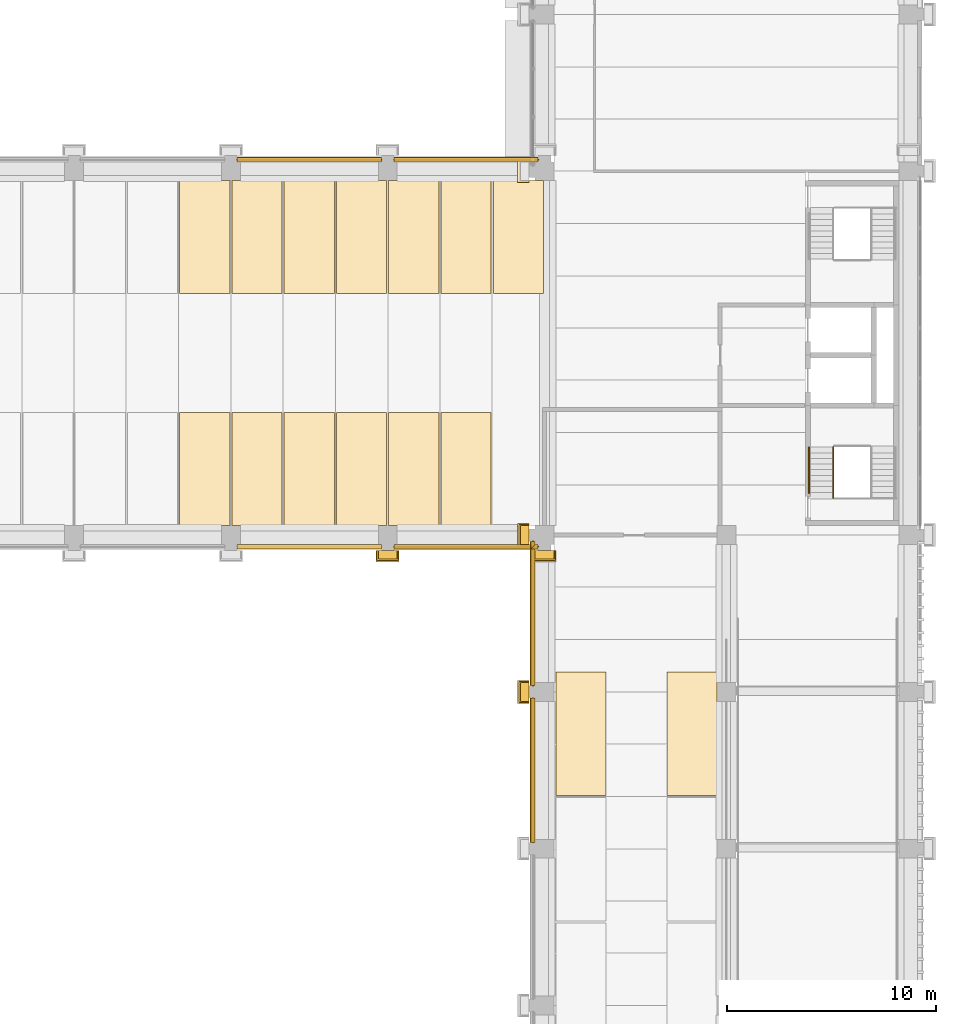
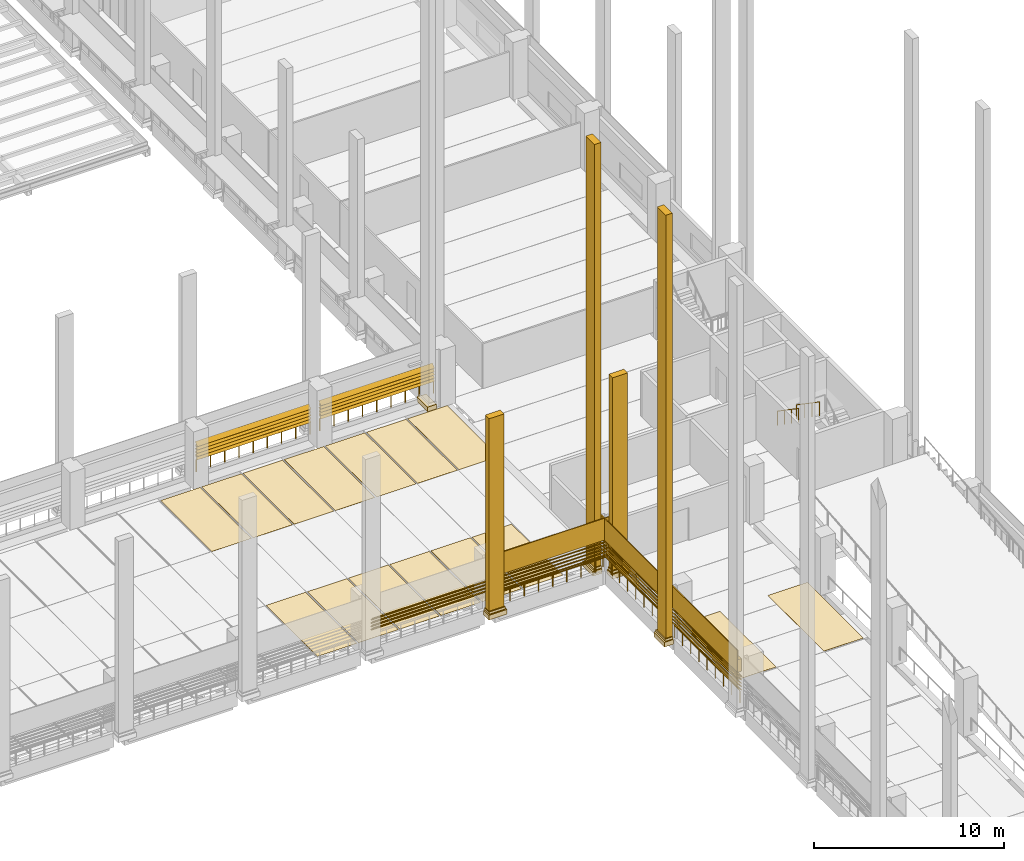
# One storey, part 59 of 67: 31 coverings, 29 shading devices, 7 railings.
"""IFC4 building model written with IfcOpenShell, lengths in metres."""

from ifc_helpers import new_model, si_unit, direction, frame, origin, origin_2d, place, context, subcontext, project, spatial, polyline, circle, outline, extrude, material, layer, layer_set, type_object, element, save


model = new_model("IFC4")

# Units and contexts
model_context = context("Model", 3, precision=1e-05, world=origin(), true_north=direction((0.0, 1.0)))
body_context = subcontext(model_context, "Body", "Model", "MODEL_VIEW")
ifc_project = project(units=[si_unit("LENGTHUNIT", "METRE"), si_unit("AREAUNIT", "SQUARE_METRE"), si_unit("VOLUMEUNIT", "CUBIC_METRE"), si_unit("PLANEANGLEUNIT", "RADIAN"), si_unit("MASSUNIT", "GRAM", prefix="KILO")], contexts=[model_context])

# Site, building, storey
site_placement = place(None, origin())
site = spatial("IfcSite", under=ifc_project, at=site_placement, CompositionType="ELEMENT")
building_placement = place(site_placement, origin())
building = spatial("IfcBuilding", under=site, at=building_placement, Name="Cour d'Honneur Mobility Palace", CompositionType="ELEMENT")
storey_placement = place(building_placement, frame((0.0, 0.0, 4.5)))
storey = spatial("IfcBuildingStorey", under=building, at=storey_placement, Name="L01", CompositionType="ELEMENT", Elevation=4.5)

# Railings
ifc_material_1 = material(Name="Painted steel", Category="steel")
railing_type_1 = type_object("IfcRailingType", Name="Balustrade", PredefinedType="BALUSTRADE", material=ifc_material_1)
railing_1_placement = place(storey_placement, frame((137.699951171875, 44.449951171875, 0.300048828125)))
element("IfcRailing", 1, at=railing_1_placement, inside=storey, type_object=railing_type_1, Name="Balustrade BAL-22", PredefinedType="BALUSTRADE", context=body_context, shape_type="SweptSolid", body=[
    extrude(circle(Radius=0.02392578125, at=origin_2d()), frame((0.0, 0.0, 0.77587890625), z_axis=(1.0, 0.0, 0.0), x_axis=(0.0, 1.0, 0.0)), (0.0, 0.0, 1.0), 6.900146484375),
    extrude(circle(Radius=0.02099609375, at=origin_2d()), origin(), (0.0, 0.0, 1.0), 0.751953125),
    extrude(circle(Radius=0.02099609375, at=origin_2d()), frame((0.862548828125, 0.0, 0.0)), (0.0, 0.0, 1.0), 0.751953125),
    extrude(circle(Radius=0.02099609375, at=origin_2d()), frame((1.72509765625, 0.0, 0.0)), (0.0, 0.0, 1.0), 0.751953125),
    extrude(circle(Radius=0.02099609375, at=origin_2d()), frame((2.587646484375, 0.0, 0.0)), (0.0, 0.0, 1.0), 0.751953125),
    extrude(circle(Radius=0.02099609375, at=origin_2d()), frame((3.4501953125, 0.0, 0.0)), (0.0, 0.0, 1.0), 0.751953125),
    extrude(circle(Radius=0.02099609375, at=origin_2d()), frame((4.3125, 0.0, 0.0)), (0.0, 0.0, 1.0), 0.751953125),
    extrude(circle(Radius=0.02099609375, at=origin_2d()), frame((5.175048828125, 0.0, 0.0)), (0.0, 0.0, 1.0), 0.751953125),
    extrude(circle(Radius=0.02099609375, at=origin_2d()), frame((6.03759765625, 0.0, 0.0)), (0.0, 0.0, 1.0), 0.751953125),
    extrude(circle(Radius=0.02099609375, at=origin_2d()), frame((6.900146484375, 0.0, 0.0)), (0.0, 0.0, 1.0), 0.751953125),
])
for number, where, name in (
    (2, (144.35009765625, 44.699951171875, 0.300048828125), "Balustrade BAL-23"),
    (3, (144.35009765625, 37.199951171875, 0.300048828125), "Balustrade BAL-24"),
):
    element("IfcRailing", number, at=place(storey_placement, frame(where)), inside=storey, type_object=railing_type_1, Name=name, PredefinedType="BALUSTRADE", context=body_context, shape_type="SweptSolid", body=[
        extrude(circle(Radius=0.02392578125, at=origin_2d()), frame((0.0, 0.0, 0.77587890625), z_axis=(0.0, -1.0, 0.0), x_axis=(1.0, 0.0, 0.0)), (0.0, 0.0, 1.0), 6.89990234375),
        extrude(circle(Radius=0.02099609375, at=origin_2d()), origin(), (0.0, 0.0, 1.0), 0.751953125),
        extrude(circle(Radius=0.02099609375, at=origin_2d()), frame((0.0, -0.862548828125, 0.0)), (0.0, 0.0, 1.0), 0.751953125),
        extrude(circle(Radius=0.02099609375, at=origin_2d()), frame((0.0, -1.72509765625, 0.0)), (0.0, 0.0, 1.0), 0.751953125),
        extrude(circle(Radius=0.02099609375, at=origin_2d()), frame((0.0, -2.58740234375, 0.0)), (0.0, 0.0, 1.0), 0.751953125),
        extrude(circle(Radius=0.02099609375, at=origin_2d()), frame((0.0, -3.449951171875, 0.0)), (0.0, 0.0, 1.0), 0.751953125),
        extrude(circle(Radius=0.02099609375, at=origin_2d()), frame((0.0, -4.3125, 0.0)), (0.0, 0.0, 1.0), 0.751953125),
        extrude(circle(Radius=0.02099609375, at=origin_2d()), frame((0.0, -5.1748046875, 0.0)), (0.0, 0.0, 1.0), 0.751953125),
        extrude(circle(Radius=0.02099609375, at=origin_2d()), frame((0.0, -6.037353515625, 0.0)), (0.0, 0.0, 1.0), 0.751953125),
        extrude(circle(Radius=0.02099609375, at=origin_2d()), frame((0.0, -6.89990234375, 0.0)), (0.0, 0.0, 1.0), 0.751953125),
    ])
for number, where, name in (
    (4, (144.60009765625, 62.949951171875, 0.300048828125), "Balustrade BAL-40"),
    (5, (137.10009765625, 62.949951171875, 0.300048828125), "Balustrade BAL-41"),
):
    element("IfcRailing", number, at=place(storey_placement, frame(where)), inside=storey, type_object=railing_type_1, Name=name, PredefinedType="BALUSTRADE", context=body_context, shape_type="SweptSolid", body=[
        extrude(circle(Radius=0.02392578125, at=origin_2d()), frame((0.0, 0.0, 0.77587890625), z_axis=(-1.0, 0.0, 0.0), x_axis=(0.0, -1.0, 0.0)), (0.0, 0.0, 1.0), 6.900146484375),
        extrude(circle(Radius=0.02099609375, at=origin_2d()), origin(), (0.0, 0.0, 1.0), 0.751953125),
        extrude(circle(Radius=0.02099609375, at=origin_2d()), frame((-0.862548828125, 0.0, 0.0)), (0.0, 0.0, 1.0), 0.751953125),
        extrude(circle(Radius=0.02099609375, at=origin_2d()), frame((-1.72509765625, 0.0, 0.0)), (0.0, 0.0, 1.0), 0.751953125),
        extrude(circle(Radius=0.02099609375, at=origin_2d()), frame((-2.587646484375, 0.0, 0.0)), (0.0, 0.0, 1.0), 0.751953125),
        extrude(circle(Radius=0.02099609375, at=origin_2d()), frame((-3.4501953125, 0.0, 0.0)), (0.0, 0.0, 1.0), 0.751953125),
        extrude(circle(Radius=0.02099609375, at=origin_2d()), frame((-4.3125, 0.0, 0.0)), (0.0, 0.0, 1.0), 0.751953125),
        extrude(circle(Radius=0.02099609375, at=origin_2d()), frame((-5.175048828125, 0.0, 0.0)), (0.0, 0.0, 1.0), 0.751953125),
        extrude(circle(Radius=0.02099609375, at=origin_2d()), frame((-6.03759765625, 0.0, 0.0)), (0.0, 0.0, 1.0), 0.751953125),
        extrude(circle(Radius=0.02099609375, at=origin_2d()), frame((-6.900146484375, 0.0, 0.0)), (0.0, 0.0, 1.0), 0.751953125),
    ])
ifc_material_2 = material(Name="Stainless steel", Category="steel")
railing_type_2 = type_object("IfcRailingType", Name="Handrail round 50", PredefinedType="HANDRAIL", material=ifc_material_2)
railing_2_placement = place(storey_placement, frame((158.699951171875, 49.205078125, 2.034912109375)))
element("IfcRailing", 6, at=railing_2_placement, inside=storey, type_object=railing_type_2, Name="Handrail ST-CE1", PredefinedType="HANDRAIL", context=body_context, shape_type="SweptSolid", body=[
    extrude(circle(Radius=0.02490234375, at=origin_2d()), frame((0.0, 0.0, 0.89501953125), z_axis=(0.0, -0.824945253146, 0.565212640793), x_axis=(1.0, 0.0, 0.0)), (0.0, 0.0, 1.0), 2.94580078125),
    extrude(circle(Radius=0.02099609375, at=origin_2d()), origin(), (0.0, 0.0, 1.0), 0.869873046875),
    extrude(circle(Radius=0.02099609375, at=origin_2d()), frame((0.0, -0.81005859375, 0.554931640625)), (0.0, 0.0, 1.0), 0.869873046875),
    extrude(circle(Radius=0.02099609375, at=origin_2d()), frame((0.0, -1.6201171875, 1.110107421875)), (0.0, 0.0, 1.0), 0.869873046875),
    extrude(circle(Radius=0.02099609375, at=origin_2d()), frame((0.0, -2.43017578125, 1.6650390625)), (0.0, 0.0, 1.0), 0.869873046875),
])
railing_3_placement = place(storey_placement, frame((157.550048828125, 49.205078125, 2.034912109375)))
element("IfcRailing", 7, at=railing_3_placement, inside=storey, type_object=railing_type_2, Name="Handrail ST-CE1", PredefinedType="HANDRAIL", context=body_context, shape_type="SweptSolid", body=[
    extrude(circle(Radius=0.02490234375, at=origin_2d()), frame((0.0, 0.0, 0.89501953125), z_axis=(0.0, -0.824915021957, 0.565256761613), x_axis=(1.0, 0.0, 0.0)), (0.0, 0.0, 1.0), 2.673095703125),
    extrude(circle(Radius=0.02099609375, at=origin_2d()), origin(), (0.0, 0.0, 1.0), 0.869873046875),
    extrude(circle(Radius=0.02099609375, at=origin_2d()), frame((0.0, -0.735107421875, 0.503662109375)), (0.0, 0.0, 1.0), 0.869873046875),
    extrude(circle(Radius=0.02099609375, at=origin_2d()), frame((0.0, -1.469970703125, 1.00732421875)), (0.0, 0.0, 1.0), 0.869873046875),
    extrude(circle(Radius=0.02099609375, at=origin_2d()), frame((0.0, -2.205078125, 1.510986328125)), (0.0, 0.0, 1.0), 0.869873046875),
])

# Coverings
ifc_material_3 = material(Name="Parking marking paint")
ifc_layer_1 = layer(ifc_material_3, 0.0048828125)
ifc_layer_set_1 = layer_set([ifc_layer_1], Name="Parking marking paint")
covering_type_1 = type_object("IfcCoveringType", Name="Parking bay marking", PredefinedType="FLOORING", material=ifc_layer_set_1)
covering_1_placement = place(storey_placement, origin())
element("IfcCovering", 8, at=covering_1_placement, inside=storey, type_object=covering_type_1, Name="Parking bay marking L01 25", PredefinedType="FLOORING", context=body_context, shape_type="SweptSolid", body=[
    extrude(outline(polyline([(129.85009765625, 56.550048828125), (127.449951171875, 56.550048828125), (127.449951171875, 61.949951171875), (129.85009765625, 61.949951171875), (129.85009765625, 56.550048828125)])), origin(), (0.0, 0.0, 1.0), 0.0048828125),
])
covering_2_placement = place(storey_placement, origin())
element("IfcCovering", 9, at=covering_2_placement, inside=storey, type_object=covering_type_1, Name="Parking bay marking L01 26", PredefinedType="FLOORING", context=body_context, shape_type="SweptSolid", body=[
    extrude(outline(polyline([(132.35009765625, 56.550048828125), (129.949951171875, 56.550048828125), (129.949951171875, 61.949951171875), (132.35009765625, 61.949951171875), (132.35009765625, 56.550048828125)])), origin(), (0.0, 0.0, 1.0), 0.0048828125),
])
covering_3_placement = place(storey_placement, origin())
element("IfcCovering", 10, at=covering_3_placement, inside=storey, type_object=covering_type_1, Name="Parking bay marking L01 27", PredefinedType="FLOORING", context=body_context, shape_type="SweptSolid", body=[
    extrude(outline(polyline([(134.85009765625, 56.550048828125), (132.449951171875, 56.550048828125), (132.449951171875, 61.949951171875), (134.85009765625, 61.949951171875), (134.85009765625, 56.550048828125)])), origin(), (0.0, 0.0, 1.0), 0.0048828125),
])
covering_4_placement = place(storey_placement, origin())
element("IfcCovering", 11, at=covering_4_placement, inside=storey, type_object=covering_type_1, Name="Parking bay marking L01 28", PredefinedType="FLOORING", context=body_context, shape_type="SweptSolid", body=[
    extrude(outline(polyline([(137.35009765625, 56.550048828125), (134.949951171875, 56.550048828125), (134.949951171875, 61.949951171875), (137.35009765625, 61.949951171875), (137.35009765625, 56.550048828125)])), origin(), (0.0, 0.0, 1.0), 0.0048828125),
])
covering_5_placement = place(storey_placement, origin())
element("IfcCovering", 12, at=covering_5_placement, inside=storey, type_object=covering_type_1, Name="Parking bay marking L01 29", PredefinedType="FLOORING", context=body_context, shape_type="SweptSolid", body=[
    extrude(outline(polyline([(139.85009765625, 56.550048828125), (137.449951171875, 56.550048828125), (137.449951171875, 61.949951171875), (139.85009765625, 61.949951171875), (139.85009765625, 56.550048828125)])), origin(), (0.0, 0.0, 1.0), 0.0048828125),
])
covering_6_placement = place(storey_placement, origin())
element("IfcCovering", 13, at=covering_6_placement, inside=storey, type_object=covering_type_1, Name="Parking bay marking L01 31", PredefinedType="FLOORING", context=body_context, shape_type="SweptSolid", body=[
    extrude(outline(polyline([(142.35009765625, 56.550048828125), (139.949951171875, 56.550048828125), (139.949951171875, 61.949951171875), (142.35009765625, 61.949951171875), (142.35009765625, 56.550048828125)])), origin(), (0.0, 0.0, 1.0), 0.0048828125),
])
covering_7_placement = place(storey_placement, origin())
element("IfcCovering", 14, at=covering_7_placement, inside=storey, type_object=covering_type_1, Name="Parking bay marking L01 32", PredefinedType="FLOORING", context=body_context, shape_type="SweptSolid", body=[
    extrude(outline(polyline([(144.85009765625, 56.550048828125), (142.449951171875, 56.550048828125), (142.449951171875, 61.949951171875), (144.85009765625, 61.949951171875), (144.85009765625, 56.550048828125)])), origin(), (0.0, 0.0, 1.0), 0.0048828125),
])
covering_8_placement = place(storey_placement, origin())
element("IfcCovering", 15, at=covering_8_placement, inside=storey, type_object=covering_type_1, Name="Parking bay marking L01 64", PredefinedType="FLOORING", context=body_context, shape_type="SweptSolid", body=[
    extrude(outline(polyline([(129.85009765625, 45.449951171875), (127.449951171875, 45.449951171875), (127.449951171875, 50.85009765625), (129.85009765625, 50.85009765625), (129.85009765625, 45.449951171875)])), origin(), (0.0, 0.0, 1.0), 0.0048828125),
])
covering_9_placement = place(storey_placement, origin())
element("IfcCovering", 16, at=covering_9_placement, inside=storey, type_object=covering_type_1, Name="Parking bay marking L01 65", PredefinedType="FLOORING", context=body_context, shape_type="SweptSolid", body=[
    extrude(outline(polyline([(132.35009765625, 45.449951171875), (129.949951171875, 45.449951171875), (129.949951171875, 50.85009765625), (132.35009765625, 50.85009765625), (132.35009765625, 45.449951171875)])), origin(), (0.0, 0.0, 1.0), 0.0048828125),
])
covering_10_placement = place(storey_placement, origin())
element("IfcCovering", 17, at=covering_10_placement, inside=storey, type_object=covering_type_1, Name="Parking bay marking L01 66", PredefinedType="FLOORING", context=body_context, shape_type="SweptSolid", body=[
    extrude(outline(polyline([(134.85009765625, 45.449951171875), (132.449951171875, 45.449951171875), (132.449951171875, 50.85009765625), (134.85009765625, 50.85009765625), (134.85009765625, 45.449951171875)])), origin(), (0.0, 0.0, 1.0), 0.0048828125),
])
covering_11_placement = place(storey_placement, origin())
element("IfcCovering", 18, at=covering_11_placement, inside=storey, type_object=covering_type_1, Name="Parking bay marking L01 67", PredefinedType="FLOORING", context=body_context, shape_type="SweptSolid", body=[
    extrude(outline(polyline([(137.35009765625, 45.449951171875), (134.949951171875, 45.449951171875), (134.949951171875, 50.85009765625), (137.35009765625, 50.85009765625), (137.35009765625, 45.449951171875)])), origin(), (0.0, 0.0, 1.0), 0.0048828125),
])
covering_12_placement = place(storey_placement, origin())
element("IfcCovering", 19, at=covering_12_placement, inside=storey, type_object=covering_type_1, Name="Parking bay marking L01 68", PredefinedType="FLOORING", context=body_context, shape_type="SweptSolid", body=[
    extrude(outline(polyline([(139.85009765625, 45.449951171875), (137.449951171875, 45.449951171875), (137.449951171875, 50.85009765625), (139.85009765625, 50.85009765625), (139.85009765625, 45.449951171875)])), origin(), (0.0, 0.0, 1.0), 0.0048828125),
])
covering_13_placement = place(storey_placement, origin())
element("IfcCovering", 20, at=covering_13_placement, inside=storey, type_object=covering_type_1, Name="Parking bay marking L01 70", PredefinedType="FLOORING", context=body_context, shape_type="SweptSolid", body=[
    extrude(outline(polyline([(142.35009765625, 45.449951171875), (139.949951171875, 45.449951171875), (139.949951171875, 50.85009765625), (142.35009765625, 50.85009765625), (142.35009765625, 45.449951171875)])), origin(), (0.0, 0.0, 1.0), 0.0048828125),
])
covering_14_placement = place(storey_placement, origin())
element("IfcCovering", 21, at=covering_14_placement, inside=storey, type_object=covering_type_1, Name="Parking bay marking L01 78", PredefinedType="FLOORING", context=body_context, shape_type="SweptSolid", body=[
    extrude(outline(polyline([(153.14990234375, 32.550048828125), (150.75, 32.550048828125), (150.75, 38.449951171875), (153.14990234375, 38.449951171875), (153.14990234375, 32.550048828125)])), origin(), (0.0, 0.0, 1.0), 0.0048828125),
])
covering_15_placement = place(storey_placement, origin())
element("IfcCovering", 22, at=covering_15_placement, inside=storey, type_object=covering_type_1, Name="Parking bay marking L01 82", PredefinedType="FLOORING", context=body_context, shape_type="SweptSolid", body=[
    extrude(outline(polyline([(147.85009765625, 32.550048828125), (145.449951171875, 32.550048828125), (145.449951171875, 38.449951171875), (147.85009765625, 38.449951171875), (147.85009765625, 32.550048828125)])), origin(), (0.0, 0.0, 1.0), 0.0048828125),
])
ifc_material_4 = material(Name="Cast limestone", Category="masonry")
ifc_layer_2 = layer(ifc_material_4, 0.14990234375)
ifc_layer_set_2 = layer_set([ifc_layer_2], Name="Cast limestone")
covering_type_2 = type_object("IfcCoveringType", Name="Pilaster base", PredefinedType="CLADDING", material=ifc_layer_set_2)
covering_16_placement = place(storey_placement, frame((0.0, 0.0, 0.10009765625)))
element("IfcCovering", 23, at=covering_16_placement, inside=storey, type_object=covering_type_2, Name="Pilaster base PB-51", PredefinedType="CLADDING", context=body_context, shape_type="SweptSolid", body=[
    extrude(outline(polyline([(136.85009765625, 44.25), (137.949951171875, 44.25), (137.949951171875, 43.699951171875), (136.85009765625, 43.699951171875), (136.85009765625, 44.25)])), origin(), (0.0, 0.0, 1.0), 0.2998046875),
])
covering_17_placement = place(storey_placement, frame((0.0, 0.0, 0.39990234375)))
element("IfcCovering", 24, at=covering_17_placement, inside=storey, type_object=covering_type_2, Name="Pilaster base PB-52", PredefinedType="CLADDING", context=body_context, shape_type="SweptSolid", body=[
    extrude(outline(polyline([(136.89990234375, 44.25), (137.89990234375, 44.25), (137.89990234375, 43.780029296875), (136.89990234375, 43.780029296875), (136.89990234375, 44.25)])), origin(), (0.0, 0.0, 1.0), 0.150146484375),
])
covering_18_placement = place(storey_placement, frame((0.0, 0.0, 0.10009765625)))
element("IfcCovering", 25, at=covering_18_placement, inside=storey, type_object=covering_type_2, Name="Pilaster base PB-53", PredefinedType="CLADDING", context=body_context, shape_type="SweptSolid", body=[
    extrude(outline(polyline([(144.35009765625, 44.25), (145.449951171875, 44.25), (145.449951171875, 43.699951171875), (144.35009765625, 43.699951171875), (144.35009765625, 44.25)])), origin(), (0.0, 0.0, 1.0), 0.2998046875),
])
covering_19_placement = place(storey_placement, frame((0.0, 0.0, 0.39990234375)))
element("IfcCovering", 26, at=covering_19_placement, inside=storey, type_object=covering_type_2, Name="Pilaster base PB-54", PredefinedType="CLADDING", context=body_context, shape_type="SweptSolid", body=[
    extrude(outline(polyline([(144.39990234375, 44.25), (145.39990234375, 44.25), (145.39990234375, 43.780029296875), (144.39990234375, 43.780029296875), (144.39990234375, 44.25)])), origin(), (0.0, 0.0, 1.0), 0.150146484375),
])
covering_20_placement = place(storey_placement, frame((0.0, 0.0, 0.10009765625)))
element("IfcCovering", 27, at=covering_20_placement, inside=storey, type_object=covering_type_2, Name="Pilaster base PB-55", PredefinedType="CLADDING", context=body_context, shape_type="SweptSolid", body=[
    extrude(outline(polyline([(144.14990234375, 45.550048828125), (144.14990234375, 44.449951171875), (143.60009765625, 44.449951171875), (143.60009765625, 45.550048828125), (144.14990234375, 45.550048828125)])), origin(), (0.0, 0.0, 1.0), 0.2998046875),
])
covering_21_placement = place(storey_placement, frame((0.0, 0.0, 0.39990234375)))
element("IfcCovering", 28, at=covering_21_placement, inside=storey, type_object=covering_type_2, Name="Pilaster base PB-56", PredefinedType="CLADDING", context=body_context, shape_type="SweptSolid", body=[
    extrude(outline(polyline([(144.14990234375, 45.5), (144.14990234375, 44.5), (143.679931640625, 44.5), (143.679931640625, 45.5), (144.14990234375, 45.5)])), origin(), (0.0, 0.0, 1.0), 0.150146484375),
])
covering_22_placement = place(storey_placement, frame((0.0, 0.0, 0.10009765625)))
element("IfcCovering", 29, at=covering_22_placement, inside=storey, type_object=covering_type_2, Name="Pilaster base PB-57", PredefinedType="CLADDING", context=body_context, shape_type="SweptSolid", body=[
    extrude(outline(polyline([(144.14990234375, 38.050048828125), (144.14990234375, 36.949951171875), (143.60009765625, 36.949951171875), (143.60009765625, 38.050048828125), (144.14990234375, 38.050048828125)])), origin(), (0.0, 0.0, 1.0), 0.2998046875),
])
covering_23_placement = place(storey_placement, frame((0.0, 0.0, 0.39990234375)))
element("IfcCovering", 30, at=covering_23_placement, inside=storey, type_object=covering_type_2, Name="Pilaster base PB-58", PredefinedType="CLADDING", context=body_context, shape_type="SweptSolid", body=[
    extrude(outline(polyline([(144.14990234375, 38.0), (144.14990234375, 37.0), (143.679931640625, 37.0), (143.679931640625, 38.0), (144.14990234375, 38.0)])), origin(), (0.0, 0.0, 1.0), 0.150146484375),
])
covering_24_placement = place(storey_placement, frame((0.0, 0.0, 0.10009765625)))
element("IfcCovering", 31, at=covering_24_placement, inside=storey, type_object=covering_type_2, Name="Pilaster base PB-121", PredefinedType="CLADDING", context=body_context, shape_type="SweptSolid", body=[
    extrude(outline(polyline([(144.14990234375, 62.949951171875), (144.14990234375, 61.85009765625), (143.60009765625, 61.85009765625), (143.60009765625, 62.949951171875), (144.14990234375, 62.949951171875)])), origin(), (0.0, 0.0, 1.0), 0.2998046875),
])
ifc_material_5 = material(Name="Cast limestone", Category="masonry")
ifc_layer_3 = layer(ifc_material_5, 0.39990234375)
ifc_layer_set_3 = layer_set([ifc_layer_3], Name="Cast limestone")
covering_type_3 = type_object("IfcCoveringType", Name="Pilaster shaft", PredefinedType="CLADDING", material=ifc_layer_set_3)
covering_25_placement = place(storey_placement, frame((0.0, 0.0, 0.550048828125)))
element("IfcCovering", 32, at=covering_25_placement, inside=storey, type_object=covering_type_3, Name="Pilaster shaft PS-26", PredefinedType="CLADDING", context=body_context, shape_type="SweptSolid", body=[
    extrude(outline(polyline([(136.949951171875, 44.25), (137.85009765625, 44.25), (137.85009765625, 43.85009765625), (136.949951171875, 43.85009765625), (136.949951171875, 44.25)])), origin(), (0.0, 0.0, 1.0), 12.349853515625),
])
covering_26_placement = place(storey_placement, frame((0.0, 0.0, 0.550048828125)))
element("IfcCovering", 33, at=covering_26_placement, inside=storey, type_object=covering_type_3, Name="Pilaster shaft PS-27", PredefinedType="CLADDING", context=body_context, shape_type="SweptSolid", body=[
    extrude(outline(polyline([(144.449951171875, 44.25), (145.35009765625, 44.25), (145.35009765625, 43.85009765625), (144.449951171875, 43.85009765625), (144.449951171875, 44.25)])), origin(), (0.0, 0.0, 1.0), 12.349853515625),
])
covering_27_placement = place(storey_placement, frame((0.0, 0.0, 0.550048828125)))
element("IfcCovering", 34, at=covering_27_placement, inside=storey, type_object=covering_type_3, Name="Pilaster shaft PS-28", PredefinedType="CLADDING", context=body_context, shape_type="SweptSolid", body=[
    extrude(outline(polyline([(144.14990234375, 45.449951171875), (144.14990234375, 44.550048828125), (143.75, 44.550048828125), (143.75, 45.449951171875), (144.14990234375, 45.449951171875)])), origin(), (0.0, 0.0, 1.0), 27.14990234375),
])
covering_28_placement = place(storey_placement, frame((0.0, 0.0, 0.550048828125)))
element("IfcCovering", 35, at=covering_28_placement, inside=storey, type_object=covering_type_3, Name="Pilaster shaft PS-29", PredefinedType="CLADDING", context=body_context, shape_type="SweptSolid", body=[
    extrude(outline(polyline([(144.14990234375, 37.949951171875), (144.14990234375, 37.050048828125), (143.75, 37.050048828125), (143.75, 37.949951171875), (144.14990234375, 37.949951171875)])), origin(), (0.0, 0.0, 1.0), 27.14990234375),
])
ifc_material_6 = material(Name="Cast limestone", Category="masonry")
ifc_layer_4 = layer(ifc_material_6, 0.25)
ifc_layer_set_4 = layer_set([ifc_layer_4], Name="Cast limestone")
covering_type_4 = type_object("IfcCoveringType", Name="Spandrel cladding", PredefinedType="CLADDING", material=ifc_layer_set_4)
for number, where, z_axis, x_axis, name in (
    (36, (137.699951171875, 44.550048828125, 2.300048828125), (-1.0, 0.0, 0.0), (0.0, -1.0, 0.0), "Spandrel cladding SK-86"),
    (37, (144.449951171875, 44.699951171875, 2.300048828125), (0.0, 1.0, 0.0), (-1.0, 0.0, 0.0), "Spandrel cladding SK-87"),
    (38, (144.449951171875, 37.199951171875, 2.300048828125), (0.0, 1.0, 0.0), (-1.0, 0.0, 0.0), "Spandrel cladding SK-88"),
):
    element("IfcCovering", number, at=place(storey_placement, frame(where, z_axis=z_axis, x_axis=x_axis)), inside=storey, type_object=covering_type_4, Name=name, PredefinedType="CLADDING", context=body_context, shape_type="SweptSolid", body=[
        extrude(outline(polyline([(0.0, 0.0), (0.25, 0.0), (0.25, 1.39990234375), (0.199951171875, 1.39990234375), (0.199951171875, 0.800048828125), (0.0, 0.800048828125), (0.0, 0.0)])), origin(), (0.0, 0.0, -1.0), 6.89990234375),
    ])

# Shading devices
ifc_material_7 = material(Name="Terracotta", Category="masonry")
ifc_layer_5 = layer(ifc_material_7, 0.02490234375)
ifc_layer_set_5 = layer_set([ifc_layer_5], Name="Terracotta")
shading_device_type = type_object("IfcShadingDeviceType", Name="Terracotta louvre blade", PredefinedType="JALOUSIE", material=ifc_layer_set_5)
shading_device_1_placement = place(storey_placement, frame((144.4560546875, 44.699951171875, 1.10009765625), z_axis=(0.706699578995, 0.0, 0.707513749017), x_axis=(0.0, -1.0, 0.0)))
element("IfcShadingDevice", 39, at=shading_device_1_placement, inside=storey, type_object=shading_device_type, Name="Louvre blade LV-1 W3.0 L01 1", PredefinedType="JALOUSIE", context=body_context, shape_type="SweptSolid", body=[
    extrude(outline(polyline([(0.0, 0.0), (6.89990234375, 0.0), (6.89990234375, -0.29986442442957895), (0.0, -0.29986442442957895), (0.0, 0.0)])), origin(), (0.0, 0.0, -1.0), 0.02490234375),
])
for number, where, z_axis, x_axis, name in (
    (40, (144.4560546875, 44.699951171875, 1.31201171875), (0.707106781187, 0.0, 0.707106781187), (0.0, -1.0, 0.0), "Louvre blade LV-1 W3.0 L01 2"),
    (41, (144.4560546875, 44.699951171875, 1.524169921875), (0.707106781187, 0.0, 0.707106781187), (0.0, -1.0, 0.0), "Louvre blade LV-1 W3.0 L01 3"),
    (42, (144.4560546875, 44.699951171875, 1.736328125), (0.707106781187, 0.0, 0.707106781187), (0.0, -1.0, 0.0), "Louvre blade LV-1 W3.0 L01 4"),
    (43, (144.4560546875, 44.699951171875, 1.948486328125), (0.707106781187, 0.0, 0.707106781187), (0.0, -1.0, 0.0), "Louvre blade LV-1 W3.0 L01 5"),
):
    element("IfcShadingDevice", number, at=place(storey_placement, frame(where, z_axis=z_axis, x_axis=x_axis)), inside=storey, type_object=shading_device_type, Name=name, PredefinedType="JALOUSIE", context=body_context, shape_type="SweptSolid", body=[
        extrude(outline(polyline([(0.0, 0.0), (6.89990234375, 0.0), (6.89990234375, -0.300037008228081), (0.0, -0.300037008228081), (0.0, 0.0)])), origin(), (0.0, 0.0, -1.0), 0.02490234375),
    ])
shading_device_2_placement = place(storey_placement, frame((144.4560546875, 37.199951171875, 1.10009765625), z_axis=(0.706699578995, 0.0, 0.707513749017), x_axis=(0.0, -1.0, 0.0)))
element("IfcShadingDevice", 44, at=shading_device_2_placement, inside=storey, type_object=shading_device_type, Name="Louvre blade LV-1 W3.1 L01 1", PredefinedType="JALOUSIE", context=body_context, shape_type="SweptSolid", body=[
    extrude(outline(polyline([(0.0, 0.0), (6.89990234375, 0.0), (6.89990234375, -0.29986442442957895), (0.0, -0.29986442442957895), (0.0, 0.0)])), origin(), (0.0, 0.0, -1.0), 0.02490234375),
])
for number, where, z_axis, x_axis, name in (
    (45, (144.4560546875, 37.199951171875, 1.31201171875), (0.707106781187, 0.0, 0.707106781187), (0.0, -1.0, 0.0), "Louvre blade LV-1 W3.1 L01 2"),
    (46, (144.4560546875, 37.199951171875, 1.524169921875), (0.707106781187, 0.0, 0.707106781187), (0.0, -1.0, 0.0), "Louvre blade LV-1 W3.1 L01 3"),
    (47, (144.4560546875, 37.199951171875, 1.736328125), (0.707106781187, 0.0, 0.707106781187), (0.0, -1.0, 0.0), "Louvre blade LV-1 W3.1 L01 4"),
    (48, (144.4560546875, 37.199951171875, 1.948486328125), (0.707106781187, 0.0, 0.707106781187), (0.0, -1.0, 0.0), "Louvre blade LV-1 W3.1 L01 5"),
):
    element("IfcShadingDevice", number, at=place(storey_placement, frame(where, z_axis=z_axis, x_axis=x_axis)), inside=storey, type_object=shading_device_type, Name=name, PredefinedType="JALOUSIE", context=body_context, shape_type="SweptSolid", body=[
        extrude(outline(polyline([(0.0, 0.0), (6.89990234375, 0.0), (6.89990234375, -0.300037008228081), (0.0, -0.300037008228081), (0.0, 0.0)])), origin(), (0.0, 0.0, -1.0), 0.02490234375),
    ])
for number, where, z_axis, x_axis, name in (
    (49, (130.199951171875, 44.55615234375, 1.31201171875), (0.0, 0.707106781187, 0.707106781187), (1.0, 0.0, 0.0), "Louvre blade LV-1 S2.15 L01 2"),
    (50, (130.199951171875, 44.55615234375, 1.524169921875), (0.0, 0.707106781187, 0.707106781187), (1.0, 0.0, 0.0), "Louvre blade LV-1 S2.15 L01 3"),
    (51, (130.199951171875, 44.55615234375, 1.736328125), (0.0, 0.707106781187, 0.707106781187), (1.0, 0.0, 0.0), "Louvre blade LV-1 S2.15 L01 4"),
    (52, (130.199951171875, 44.55615234375, 1.948486328125), (0.0, 0.707106781187, 0.707106781187), (1.0, 0.0, 0.0), "Louvre blade LV-1 S2.15 L01 5"),
):
    element("IfcShadingDevice", number, at=place(storey_placement, frame(where, z_axis=z_axis, x_axis=x_axis)), inside=storey, type_object=shading_device_type, Name=name, PredefinedType="JALOUSIE", context=body_context, shape_type="SweptSolid", body=[
        extrude(outline(polyline([(0.0, 0.0), (6.900146484375, 0.0), (6.900146484375, -0.300037008228081), (0.0, -0.300037008228081), (0.0, 0.0)])), origin(), (0.0, 0.0, -1.0), 0.02490234375),
    ])
shading_device_3_placement = place(storey_placement, frame((137.699951171875, 44.55615234375, 1.10009765625), z_axis=(0.0, 0.706699578995, 0.707513749017), x_axis=(1.0, 0.0, 0.0)))
element("IfcShadingDevice", 53, at=shading_device_3_placement, inside=storey, type_object=shading_device_type, Name="Louvre blade LV-1 S2.16 L01 1", PredefinedType="JALOUSIE", context=body_context, shape_type="SweptSolid", body=[
    extrude(outline(polyline([(0.0, 0.0), (6.900146484375, 0.0), (6.900146484375, -0.29986442442957895), (0.0, -0.29986442442957895), (0.0, 0.0)])), origin(), (0.0, 0.0, -1.0), 0.02490234375),
])
for number, where, z_axis, x_axis, name in (
    (54, (137.699951171875, 44.55615234375, 1.31201171875), (0.0, 0.707106781187, 0.707106781187), (1.0, 0.0, 0.0), "Louvre blade LV-1 S2.16 L01 2"),
    (55, (137.699951171875, 44.55615234375, 1.524169921875), (0.0, 0.707106781187, 0.707106781187), (1.0, 0.0, 0.0), "Louvre blade LV-1 S2.16 L01 3"),
    (56, (137.699951171875, 44.55615234375, 1.736328125), (0.0, 0.707106781187, 0.707106781187), (1.0, 0.0, 0.0), "Louvre blade LV-1 S2.16 L01 4"),
    (57, (137.699951171875, 44.55615234375, 1.948486328125), (0.0, 0.707106781187, 0.707106781187), (1.0, 0.0, 0.0), "Louvre blade LV-1 S2.16 L01 5"),
):
    element("IfcShadingDevice", number, at=place(storey_placement, frame(where, z_axis=z_axis, x_axis=x_axis)), inside=storey, type_object=shading_device_type, Name=name, PredefinedType="JALOUSIE", context=body_context, shape_type="SweptSolid", body=[
        extrude(outline(polyline([(0.0, 0.0), (6.900146484375, 0.0), (6.900146484375, -0.300037008228081), (0.0, -0.300037008228081), (0.0, 0.0)])), origin(), (0.0, 0.0, -1.0), 0.02490234375),
    ])
shading_device_4_placement = place(storey_placement, frame((144.60009765625, 62.843994140625, 1.10009765625), z_axis=(0.0, -0.706699578995, 0.707513749017), x_axis=(-1.0, 0.0, 0.0)))
element("IfcShadingDevice", 58, at=shading_device_4_placement, inside=storey, type_object=shading_device_type, Name="Louvre blade LV-1 N8.0 L01 1", PredefinedType="JALOUSIE", context=body_context, shape_type="SweptSolid", body=[
    extrude(outline(polyline([(0.0, 0.0), (6.900146484375, 0.0), (6.900146484375, -0.29986442442957895), (0.0, -0.29986442442957895), (0.0, 0.0)])), origin(), (0.0, 0.0, -1.0), 0.02490234375),
])
for number, where, z_axis, x_axis, name in (
    (59, (144.60009765625, 62.843994140625, 1.31201171875), (0.0, -0.707106781187, 0.707106781187), (-1.0, 0.0, 0.0), "Louvre blade LV-1 N8.0 L01 2"),
    (60, (144.60009765625, 62.843994140625, 1.524169921875), (0.0, -0.707106781187, 0.707106781187), (-1.0, 0.0, 0.0), "Louvre blade LV-1 N8.0 L01 3"),
    (61, (144.60009765625, 62.843994140625, 1.736328125), (0.0, -0.707106781187, 0.707106781187), (-1.0, 0.0, 0.0), "Louvre blade LV-1 N8.0 L01 4"),
    (62, (144.60009765625, 62.843994140625, 1.948486328125), (0.0, -0.707106781187, 0.707106781187), (-1.0, 0.0, 0.0), "Louvre blade LV-1 N8.0 L01 5"),
):
    element("IfcShadingDevice", number, at=place(storey_placement, frame(where, z_axis=z_axis, x_axis=x_axis)), inside=storey, type_object=shading_device_type, Name=name, PredefinedType="JALOUSIE", context=body_context, shape_type="SweptSolid", body=[
        extrude(outline(polyline([(0.0, 0.0), (6.900146484375, 0.0), (6.900146484375, -0.300037008228081), (0.0, -0.300037008228081), (0.0, 0.0)])), origin(), (0.0, 0.0, -1.0), 0.02490234375),
    ])
shading_device_5_placement = place(storey_placement, frame((137.10009765625, 62.843994140625, 1.10009765625), z_axis=(0.0, -0.706699578995, 0.707513749017), x_axis=(-1.0, 0.0, 0.0)))
element("IfcShadingDevice", 63, at=shading_device_5_placement, inside=storey, type_object=shading_device_type, Name="Louvre blade LV-1 N8.1 L01 1", PredefinedType="JALOUSIE", context=body_context, shape_type="SweptSolid", body=[
    extrude(outline(polyline([(0.0, 0.0), (6.900146484375, 0.0), (6.900146484375, -0.29986442442957895), (0.0, -0.29986442442957895), (0.0, 0.0)])), origin(), (0.0, 0.0, -1.0), 0.02490234375),
])
for number, where, z_axis, x_axis, name in (
    (64, (137.10009765625, 62.843994140625, 1.31201171875), (0.0, -0.707106781187, 0.707106781187), (-1.0, 0.0, 0.0), "Louvre blade LV-1 N8.1 L01 2"),
    (65, (137.10009765625, 62.843994140625, 1.524169921875), (0.0, -0.707106781187, 0.707106781187), (-1.0, 0.0, 0.0), "Louvre blade LV-1 N8.1 L01 3"),
    (66, (137.10009765625, 62.843994140625, 1.736328125), (0.0, -0.707106781187, 0.707106781187), (-1.0, 0.0, 0.0), "Louvre blade LV-1 N8.1 L01 4"),
    (67, (137.10009765625, 62.843994140625, 1.948486328125), (0.0, -0.707106781187, 0.707106781187), (-1.0, 0.0, 0.0), "Louvre blade LV-1 N8.1 L01 5"),
):
    element("IfcShadingDevice", number, at=place(storey_placement, frame(where, z_axis=z_axis, x_axis=x_axis)), inside=storey, type_object=shading_device_type, Name=name, PredefinedType="JALOUSIE", context=body_context, shape_type="SweptSolid", body=[
        extrude(outline(polyline([(0.0, 0.0), (6.900146484375, 0.0), (6.900146484375, -0.300037008228081), (0.0, -0.300037008228081), (0.0, 0.0)])), origin(), (0.0, 0.0, -1.0), 0.02490234375),
    ])

save(model, "model.ifc")
